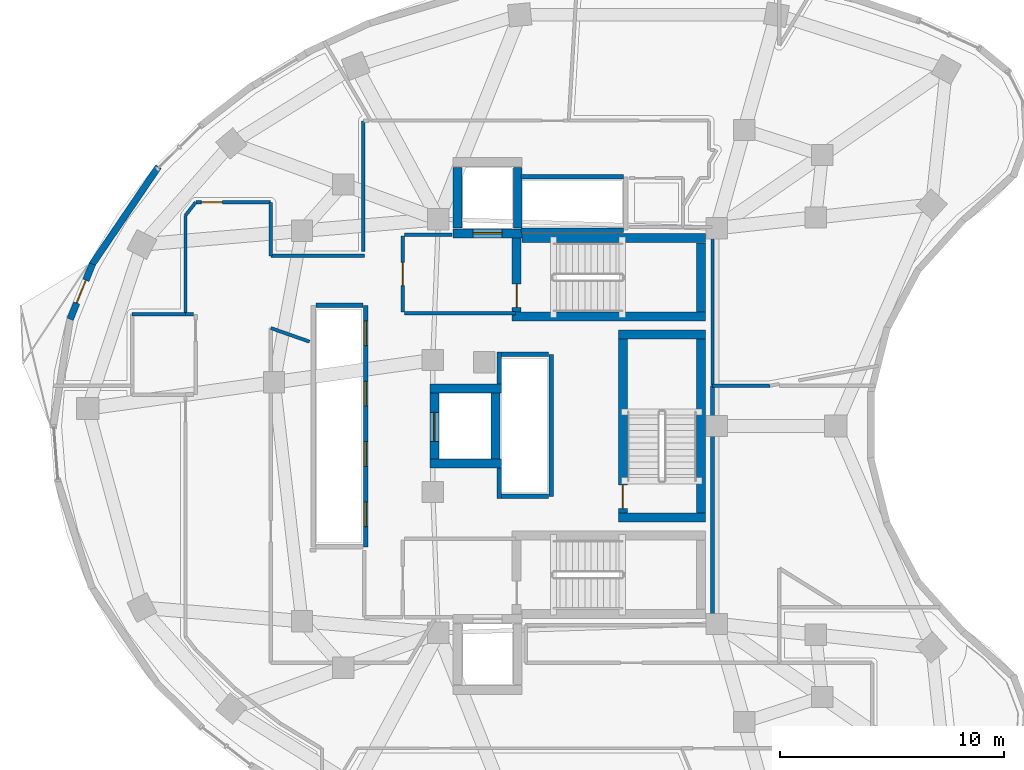
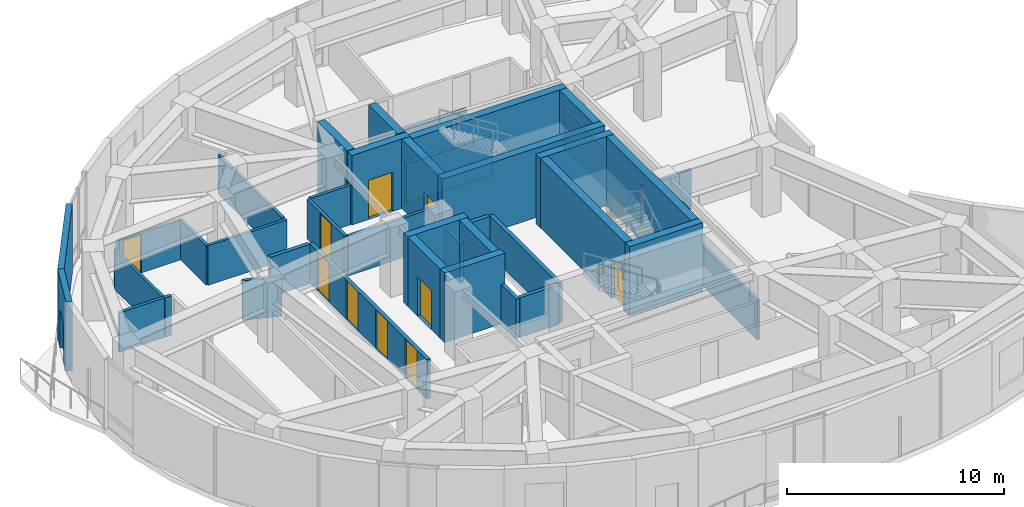
# One storey, part 7 of 12: 41 walls, 11 doors, 11 openings.
"""IFC4 building model written with IfcOpenShell, lengths in metres."""

from ifc_helpers import new_model, si_unit, direction, frame, frame_2d, origin, place, context, subcontext, project, spatial, rectangle, extrude, material, layer, layer_set, type_object, element, fill, save


model = new_model("IFC4")

# Units and contexts
model_context = context("Model", 3, precision=1e-05, world=origin(), true_north=direction((0.0, 1.0)))
body_context = subcontext(model_context, "Body", "Model", "MODEL_VIEW")
ifc_project = project(units=[si_unit("LENGTHUNIT", "METRE"), si_unit("AREAUNIT", "SQUARE_METRE"), si_unit("VOLUMEUNIT", "CUBIC_METRE"), si_unit("PLANEANGLEUNIT", "RADIAN"), si_unit("MASSUNIT", "GRAM", prefix="KILO")], contexts=[model_context])

# Site, building, storey
site_placement = place(None, origin())
site = spatial("IfcSite", under=ifc_project, at=site_placement, CompositionType="ELEMENT")
building_placement = place(site_placement, origin())
building = spatial("IfcBuilding", under=site, at=building_placement, Name="Korentha Bioscience Tower", CompositionType="ELEMENT")
storey_placement = place(building_placement, frame((0.0, 0.0, 196.199951171875)))
storey = spatial("IfcBuildingStorey", under=building, at=storey_placement, Name="L45", CompositionType="ELEMENT", Elevation=196.199951171875)

# Wall, opening, door
ifc_material_1 = material(Name="Double-Stud Acoustic Gypsum", Category="gypsum")
ifc_layer_1 = layer(ifc_material_1, 0.14990234375, Name="Double-Stud Acoustic Gypsum")
ifc_layer_set_1 = layer_set([ifc_layer_1], Name="Double-Stud Acoustic Gypsum (IW-L150)")
wall_type_1 = type_object("IfcWallType", Name="Acoustic Laboratory Partition Wall 150", PredefinedType="PARTITIONING", material=ifc_layer_set_1)
wall_1_placement = place(storey_placement, frame((17.60009765625, 37.010009765625, 0.0), z_axis=(0.0, 0.0, 1.0), x_axis=(-1.0, 0.0, 0.0)))
wall_1 = element("IfcWall", 1, at=wall_1_placement, inside=storey, type_object=wall_type_1, Name="L45 Fluorescence Confocal Microscopy Room 09 Entrance Wall", PredefinedType="PARTITIONING", context=body_context, shape_type="SweptSolid", body=[
    extrude(rectangle(XDim=3.3447265625, YDim=0.14990234375, at=frame_2d((1.67236328125, 0.0))), origin(), (0.0, 0.0, 1.0), 2.219970703125),
])
opening_1_placement = place(wall_1_placement, frame((2.154541015625, 0.0, 0.0)))
opening_1 = element("IfcOpeningElement", 2, at=opening_1_placement, cuts=wall_1, Name="Opening ID-10R", PredefinedType="OPENING", context=body_context, shape_type="SweptSolid", body=[
    extrude(rectangle(XDim=0.949951171875, YDim=2.14990234375, at=frame_2d((0.47509765625, 1.074951171875))), frame((0.0, 0.08984375, 0.0), z_axis=(0.0, -1.0, 0.0), x_axis=(1.0, 0.0, 0.0)), (0.0, 0.0, 1.0), 0.1796875),
])
ifc_material_2 = material(Name="Phenolic Laminate Timber Core", Category="wood")
door_type_1 = type_object("IfcDoorType", Name="Laboratory Single Leaf Door 950x2150 Right", OperationType="SINGLE_SWING_RIGHT", PredefinedType="DOOR", material=ifc_material_2)
door_1_placement = place(opening_1_placement, origin())
door_1 = element("IfcDoor", 3, at=door_1_placement, inside=storey, type_object=door_type_1, Name="L45 Fluorescence Confocal Microscopy Room 09 Door", OperationType="SINGLE_SWING_RIGHT", OverallHeight=2.14990234375, OverallWidth=0.949951171875, PredefinedType="DOOR", context=body_context, shape_type="SweptSolid", body=[
    extrude(rectangle(XDim=0.949951171875, YDim=2.14990234375, at=frame_2d((0.47509765625, 1.074951171875))), frame((0.0, 0.02490234375, 0.0), z_axis=(0.0, -1.0, 0.0), x_axis=(1.0, 0.0, 0.0)), (0.0, 0.0, 1.0), 0.050048828125),
])
fill(opening_1, door_1)

# Walls
wall_2_placement = place(storey_placement, frame((17.610107421875, 31.37890625, 0.0), z_axis=(0.0, 0.0, 1.0), x_axis=(0.943806424697, -0.330498763539, 0.0)))
element("IfcWall", 4, at=wall_2_placement, inside=storey, type_object=wall_type_1, Name="L45 Interior Partition 030", PredefinedType="PARTITIONING", context=body_context, shape_type="SweptSolid", body=[
    extrude(rectangle(XDim=1.832763671875, YDim=0.14990234375, at=frame_2d((0.91650390625, 0.0))), origin(), (0.0, 0.0, 1.0), 2.219970703125),
])
wall_3_placement = place(storey_placement, frame((21.739990234375, 40.64990234375, 0.0), z_axis=(0.0, 0.0, 1.0), x_axis=(0.0, -1.0, 0.0)))
element("IfcWall", 5, at=wall_3_placement, inside=storey, type_object=wall_type_1, Name="L45 Interior Partition 063", PredefinedType="PARTITIONING", context=body_context, shape_type="SweptSolid", body=[
    extrude(rectangle(XDim=5.849853515625, YDim=0.14990234375, at=frame_2d((2.9248046875, 0.0))), origin(), (0.0, 0.0, 1.0), 2.219970703125),
])
wall_4_placement = place(storey_placement, frame((21.7900390625, 34.610107421875, 0.0), z_axis=(0.0, 0.0, 1.0), x_axis=(-1.0, 0.0, 0.0)))
element("IfcWall", 6, at=wall_4_placement, inside=storey, type_object=wall_type_1, Name="L45 Interior Partition 064", PredefinedType="PARTITIONING", context=body_context, shape_type="SweptSolid", body=[
    extrude(rectangle(XDim=4.179931640625, YDim=0.14990234375, at=frame_2d((2.08984375, 0.0))), origin(), (0.0, 0.0, 1.0), 2.219970703125),
])
wall_5_placement = place(storey_placement, frame((17.610107421875, 34.610107421875, 0.0), z_axis=(0.0, 0.0, 1.0), x_axis=(0.0, 1.0, 0.0)))
element("IfcWall", 7, at=wall_5_placement, inside=storey, type_object=wall_type_1, Name="L45 Interior Partition 065", PredefinedType="PARTITIONING", context=body_context, shape_type="SweptSolid", body=[
    extrude(rectangle(XDim=2.389892578125, YDim=0.14990234375, at=frame_2d((1.19482421875, 0.0))), origin(), (0.0, 0.0, 1.0), 2.219970703125),
])
wall_6_placement = place(storey_placement, frame((14.24755859375, 37.006103515625, 0.0), z_axis=(0.0, 0.0, 1.0), x_axis=(-0.616041172792, -0.787713954063, 0.0)))
element("IfcWall", 8, at=wall_6_placement, inside=storey, type_object=wall_type_1, Name="L45 Interior Partition 066", PredefinedType="PARTITIONING", context=body_context, shape_type="SweptSolid", body=[
    extrude(rectangle(XDim=0.739501953125, YDim=0.14990234375, at=frame_2d((0.36962890625, 0.0))), origin(), (0.0, 0.0, 1.0), 2.219970703125),
])
wall_7_placement = place(storey_placement, frame((13.7900390625, 36.41748046875, 0.0), z_axis=(0.0, 0.0, 1.0), x_axis=(0.0, -1.0, 0.0)))
element("IfcWall", 9, at=wall_7_placement, inside=storey, type_object=wall_type_1, Name="L45 Interior Partition 067", PredefinedType="PARTITIONING", context=body_context, shape_type="SweptSolid", body=[
    extrude(rectangle(XDim=4.407470703125, YDim=0.14990234375, at=frame_2d((2.20361328125, 0.0))), origin(), (0.0, 0.0, 1.0), 2.219970703125),
])
ifc_material_3 = material(Name="Insulated Aluminium Honeycomb Panel", Category="aluminium")
ifc_layer_2 = layer(ifc_material_3, 0.139892578125, Name="Insulated Aluminium Honeycomb Panel")
ifc_layer_set_2 = layer_set([ifc_layer_2], Name="Insulated Aluminium Honeycomb Panel (IW-F60)")
wall_type_2 = type_object("IfcWallType", Name="Cleanroom Flush Metal Panel Partition 140", PredefinedType="PARTITIONING", material=ifc_layer_set_2)
wall_8_placement = place(storey_placement, frame((39.927490234375, 28.802001953125, 0.0), z_axis=(0.0, 0.0, 1.0), x_axis=(-1.0, 0.0, 0.0)))
element("IfcWall", 10, at=wall_8_placement, inside=storey, type_object=wall_type_2, Name="L45 Interior Partition 051", PredefinedType="PARTITIONING", context=body_context, shape_type="SweptSolid", body=[
    extrude(rectangle(XDim=2.5673828125, YDim=0.139892578125, at=frame_2d((1.28369140625, 0.0))), origin(), (0.0, 0.0, 1.0), 2.219970703125),
])
wall_9_placement = place(storey_placement, frame((37.360107421875, 28.802001953125, 0.0), z_axis=(0.0, 0.0, 1.0), x_axis=(0.0, 1.0, 0.0)))
element("IfcWall", 11, at=wall_9_placement, inside=storey, type_object=wall_type_2, Name="L45 Interior Partition 052", PredefinedType="PARTITIONING", context=body_context, shape_type="SweptSolid", body=[
    extrude(rectangle(XDim=7.097900390625, YDim=0.139892578125, at=frame_2d((3.548828125, 0.0))), origin(), (0.0, 0.0, 1.0), 2.219970703125),
])

# Wall, opening, door
ifc_material_4 = material(Name="Gypsum-Clad Steel Stud", Category="steel")
ifc_layer_3 = layer(ifc_material_4, 0.159912109375, Name="Gypsum-Clad Steel Stud")
ifc_layer_set_3 = layer_set([ifc_layer_3], Name="Gypsum-Clad Steel Stud (IW-C160)")
wall_type_3 = type_object("IfcWallType", Name="Fire-Rated Corridor Partition Wall 160", PredefinedType="PARTITIONING", material=ifc_layer_set_3)
wall_10_placement = place(storey_placement, frame((23.5, 32.10009765625, 0.0), z_axis=(0.0, 0.0, 1.0), x_axis=(0.0, 1.0, 0.0)))
wall_10 = element("IfcWall", 12, at=wall_10_placement, inside=storey, type_object=wall_type_3, Name="L45 FFLN-CW Rated Enclosure Wall", PredefinedType="PARTITIONING", context=body_context, shape_type="SweptSolid", body=[
    extrude(rectangle(XDim=3.39990234375, YDim=0.159912109375, at=frame_2d((1.699951171875, 0.0))), origin(), (0.0, 0.0, 1.0), 2.219970703125),
])
opening_2_placement = place(wall_10_placement, frame((1.175048828125, 0.0, 0.0)))
opening_2 = element("IfcOpeningElement", 13, at=opening_2_placement, cuts=wall_10, Name="Opening FD-90R", PredefinedType="OPENING", context=body_context, shape_type="SweptSolid", body=[
    extrude(rectangle(XDim=1.050048828125, YDim=2.14990234375, at=frame_2d((0.52490234375, 1.074951171875))), frame((0.0, 0.0947265625, 0.0), z_axis=(0.0, -1.0, 0.0), x_axis=(1.0, 0.0, 0.0)), (0.0, 0.0, 1.0), 0.189697265625),
])
ifc_material_5 = material(Name="Powder-Coated Fire-Rated Steel", Category="steel")
door_type_2 = type_object("IfcDoorType", Name="Stairwell Fire Exit Door 1050x2150 Right", OperationType="SINGLE_SWING_RIGHT", PredefinedType="DOOR", material=ifc_material_5)
door_2_placement = place(opening_2_placement, origin())
door_2 = element("IfcDoor", 14, at=door_2_placement, inside=storey, type_object=door_type_2, Name="L45 North Firefighting Lobby Door", OperationType="SINGLE_SWING_RIGHT", OverallHeight=2.14990234375, OverallWidth=1.050048828125, PredefinedType="DOOR", context=body_context, shape_type="SweptSolid", body=[
    extrude(rectangle(XDim=1.050048828125, YDim=2.14990234375, at=frame_2d((0.52490234375, 1.074951171875))), frame((0.0, 0.02490234375, 0.0), z_axis=(0.0, -1.0, 0.0), x_axis=(1.0, 0.0, 0.0)), (0.0, 0.0, 1.0), 0.050048828125),
])
fill(opening_2, door_2)

# Walls
wall_11_placement = place(storey_placement, frame((23.580078125, 32.050048828125, 0.0), z_axis=(0.0, 0.0, 1.0), x_axis=(1.0, 0.0, 0.0)))
element("IfcWall", 15, at=wall_11_placement, inside=storey, type_object=wall_type_3, Name="L45 Firefighting Lobby Return Wall FFLN-S", PredefinedType="PARTITIONING", context=body_context, shape_type="SweptSolid", body=[
    extrude(rectangle(XDim=4.969970703125, YDim=0.159912109375, at=frame_2d((2.48486328125, 0.0))), origin(), (0.0, 0.0, 1.0), 2.219970703125),
])
wall_12_placement = place(storey_placement, frame((23.580078125, 35.550048828125, 0.0), z_axis=(0.0, 0.0, 1.0), x_axis=(1.0, 0.0, 0.0)))
element("IfcWall", 16, at=wall_12_placement, inside=storey, type_object=wall_type_3, Name="L45 Firefighting Lobby Return Wall FFLN-N", PredefinedType="PARTITIONING", context=body_context, shape_type="SweptSolid", body=[
    extrude(rectangle(XDim=2.119873046875, YDim=0.159912109375, at=frame_2d((1.06005859375, 0.0))), origin(), (0.0, 0.0, 1.0), 2.219970703125),
])
wall_13_placement = place(storey_placement, frame((13.800048828125, 31.989990234375, 0.0), z_axis=(0.0, 0.0, 1.0), x_axis=(1.0, 0.0, 0.0)))
element("IfcWall", 17, at=wall_13_placement, inside=storey, type_object=wall_type_3, Name="L45 Interior Partition 014", PredefinedType="PARTITIONING", context=body_context, shape_type="SweptSolid", body=[
    extrude(rectangle(XDim=0.35693359375, YDim=0.159912109375, at=frame_2d((0.178466796875, 0.0))), origin(), (0.0, 0.0, 1.0), 2.219970703125),
])
wall_14_placement = place(storey_placement, frame((11.39990234375, 32.0, 0.0), z_axis=(0.0, 0.0, 1.0), x_axis=(1.0, 0.0, 0.0)))
element("IfcWall", 18, at=wall_14_placement, inside=storey, type_object=wall_type_3, Name="L45 Interior Partition 018", PredefinedType="PARTITIONING", context=body_context, shape_type="SweptSolid", body=[
    extrude(rectangle(XDim=2.39013671875, YDim=0.159912109375, at=frame_2d((1.195068359375, 0.0))), origin(), (0.0, 0.0, 1.0), 2.219970703125),
])
wall_15_placement = place(storey_placement, frame((37.360107421875, 18.10009765625, 0.0), z_axis=(0.0, 0.0, 1.0), x_axis=(0.0, 1.0, 0.0)))
element("IfcWall", 19, at=wall_15_placement, inside=storey, type_object=wall_type_3, Name="L45 Interior Partition 040", PredefinedType="PARTITIONING", context=body_context, shape_type="SweptSolid", body=[
    extrude(rectangle(XDim=10.693603515625, YDim=0.159912109375, at=frame_2d((5.3466796875, 0.0))), origin(), (0.0, 0.0, 1.0), 2.219970703125),
])

# Wall, opening, door
ifc_material_6 = material(Name="Honed Limestone Precast Concrete C40", Category="masonry")
ifc_layer_4 = layer(ifc_material_6, 0.300048828125, Name="Honed Limestone Precast Concrete C40")
ifc_layer_set_4 = layer_set([ifc_layer_4], Name="Honed Limestone Precast Concrete C40 (EW-ST300)")
wall_type_4 = type_object("IfcWallType", Name="Honed Limestone Cavity Spandrel Wall 300", PredefinedType="STANDARD", material=ifc_layer_set_4)
wall_16_placement = place(storey_placement, frame((9.625732421875, 34.2421875, 0.0), z_axis=(0.0, 0.0, 1.0), x_axis=(-0.373983610438, -0.927435312636, 0.0)))
wall_16 = element("IfcWall", 20, at=wall_16_placement, inside=storey, type_object=wall_type_4, Name="L45 Balcony Threshold Wall 02", PredefinedType="STANDARD", context=body_context, shape_type="SweptSolid", body=[
    extrude(rectangle(XDim=2.660888671875, YDim=0.300048828125, at=frame_2d((1.33056640625, 0.0))), origin(), (0.0, 0.0, 1.0), 3.900146484375),
])
opening_3_placement = place(wall_16_placement, frame((0.780517578125, 0.0, 0.0)))
opening_3 = element("IfcOpeningElement", 21, at=opening_3_placement, cuts=wall_16, Name="Opening BD-11R", PredefinedType="OPENING", context=body_context, shape_type="SweptSolid", body=[
    extrude(rectangle(XDim=1.10009765625, YDim=2.14990234375, at=frame_2d((0.550048828125, 1.074951171875))), frame((0.0, 0.1650390625, 0.0), z_axis=(0.0, -1.0, 0.0), x_axis=(1.0, 0.0, 0.0)), (0.0, 0.0, 1.0), 0.329833984375),
])
ifc_material_7 = material(Name="Thermally Broken Glazed Aluminium", Category="aluminium")
door_type_3 = type_object("IfcDoorType", Name="Balcony Terrace Glazed Door 1100x2150 Right", OperationType="SINGLE_SWING_RIGHT", PredefinedType="DOOR", material=ifc_material_7)
door_3_placement = place(opening_3_placement, origin())
door_3 = element("IfcDoor", 22, at=door_3_placement, inside=storey, type_object=door_type_3, Name="L45 Balcony Access Door 02", OperationType="SINGLE_SWING_RIGHT", OverallHeight=2.14990234375, OverallWidth=1.10009765625, PredefinedType="DOOR", context=body_context, shape_type="SweptSolid", body=[
    extrude(rectangle(XDim=1.10009765625, YDim=2.14990234375, at=frame_2d((0.550048828125, 1.074951171875))), frame((0.0, 0.02490234375, 0.0), z_axis=(0.0, -1.0, 0.0), x_axis=(1.0, 0.0, 0.0)), (0.0, 0.0, 1.0), 0.050048828125),
])
fill(opening_3, door_3)

# Wall
wall_17_placement = place(storey_placement, frame((12.580078125, 38.6005859375, 0.0), z_axis=(0.0, 0.0, 1.0), x_axis=(-0.561663900064, -0.827365495634, 0.0)))
element("IfcWall", 23, at=wall_17_placement, inside=storey, type_object=wall_type_4, Name="L45 Limestone Perimeter Closure Wall 14", PredefinedType="STANDARD", context=body_context, shape_type="SweptSolid", body=[
    extrude(rectangle(XDim=5.437744140625, YDim=0.300048828125, at=frame_2d((2.71875, 0.0))), origin(), (0.0, 0.0, 1.0), 3.900146484375),
])

# Wall, openings, doors
ifc_material_8 = material(Name="Autoclaved Aerated Concrete Block C25", Category="concrete")
ifc_layer_5 = layer(ifc_material_8, 0.199951171875, Name="Autoclaved Aerated Concrete Block C25")
ifc_layer_set_5 = layer_set([ifc_layer_5], Name="Autoclaved Aerated Concrete Block C25 (IW-S200)")
wall_type_5 = type_object("IfcWallType", Name="Lift and Riser Shaft Enclosure Wall 200", PredefinedType="PARTITIONING", material=ifc_layer_set_5)
wall_18_placement = place(storey_placement, frame((21.85009765625, 21.60009765625, 0.0), z_axis=(0.0, 0.0, 1.0), x_axis=(0.0, 1.0, 0.0)))
wall_18 = element("IfcWall", 24, at=wall_18_placement, inside=storey, type_object=wall_type_5, Name="L45 Lift Bank MID Shaft Wall +X", PredefinedType="PARTITIONING", context=body_context, shape_type="SweptSolid", body=[
    extrude(rectangle(XDim=10.7998046875, YDim=0.199951171875, at=frame_2d((5.39990234375, 0.0))), origin(), (0.0, 0.0, 1.0), 2.219970703125),
])
opening_4_placement = place(wall_18_placement, frame((0.89990234375, 0.0, 0.0)))
opening_4 = element("IfcOpeningElement", 25, at=opening_4_placement, cuts=wall_18, Name="Opening LD-11", PredefinedType="OPENING", context=body_context, shape_type="SweptSolid", body=[
    extrude(rectangle(XDim=1.10009765625, YDim=2.199951171875, at=frame_2d((0.550048828125, 1.10009765625))), frame((0.0, 0.11474609375, 0.0), z_axis=(0.0, -1.0, 0.0), x_axis=(1.0, 0.0, 0.0)), (0.0, 0.0, 1.0), 0.229736328125),
])
opening_5_placement = place(wall_18_placement, frame((3.60009765625, 0.0, 0.0)))
opening_5 = element("IfcOpeningElement", 26, at=opening_5_placement, cuts=wall_18, Name="Opening LD-11", PredefinedType="OPENING", context=body_context, shape_type="SweptSolid", body=[
    extrude(rectangle(XDim=1.10009765625, YDim=2.199951171875, at=frame_2d((0.550048828125, 1.10009765625))), frame((0.0, 0.11474609375, 0.0), z_axis=(0.0, -1.0, 0.0), x_axis=(1.0, 0.0, 0.0)), (0.0, 0.0, 1.0), 0.229736328125),
])
opening_6_placement = place(wall_18_placement, frame((6.300048828125, 0.0, 0.0)))
opening_6 = element("IfcOpeningElement", 27, at=opening_6_placement, cuts=wall_18, Name="Opening LD-11", PredefinedType="OPENING", context=body_context, shape_type="SweptSolid", body=[
    extrude(rectangle(XDim=1.10009765625, YDim=2.199951171875, at=frame_2d((0.550048828125, 1.10009765625))), frame((0.0, 0.11474609375, 0.0), z_axis=(0.0, -1.0, 0.0), x_axis=(1.0, 0.0, 0.0)), (0.0, 0.0, 1.0), 0.229736328125),
])
opening_7_placement = place(wall_18_placement, frame((9.0, 0.0, 0.0)))
opening_7 = element("IfcOpeningElement", 28, at=opening_7_placement, cuts=wall_18, Name="Opening LD-11", PredefinedType="OPENING", context=body_context, shape_type="SweptSolid", body=[
    extrude(rectangle(XDim=1.10009765625, YDim=2.199951171875, at=frame_2d((0.550048828125, 1.10009765625))), frame((0.0, 0.11474609375, 0.0), z_axis=(0.0, -1.0, 0.0), x_axis=(1.0, 0.0, 0.0)), (0.0, 0.0, 1.0), 0.229736328125),
])
ifc_material_9 = material(Name="Brushed Stainless Steel 304", Category="steel")
door_type_4 = type_object("IfcDoorType", Name="Passenger Lift Sliding Landing Door 1100x2200", OperationType="DOUBLE_DOOR_SLIDING", PredefinedType="DOOR", material=ifc_material_9)
door_4_placement = place(opening_4_placement, origin())
door_4 = element("IfcDoor", 29, at=door_4_placement, inside=storey, type_object=door_type_4, Name="L45 PL-M1 Sliding Lift Landing Door", OperationType="DOUBLE_DOOR_SLIDING", OverallHeight=2.199951171875, OverallWidth=1.10009765625, PredefinedType="DOOR", context=body_context, shape_type="SweptSolid", body=[
    extrude(rectangle(XDim=1.10009765625, YDim=2.199951171875, at=frame_2d((0.550048828125, 1.10009765625))), frame((0.0, 0.02490234375, 0.0), z_axis=(0.0, -1.0, 0.0), x_axis=(1.0, 0.0, 0.0)), (0.0, 0.0, 1.0), 0.050048828125),
])
fill(opening_4, door_4)
door_5_placement = place(opening_5_placement, origin())
door_5 = element("IfcDoor", 30, at=door_5_placement, inside=storey, type_object=door_type_4, Name="L45 PL-M2 Sliding Lift Landing Door", OperationType="DOUBLE_DOOR_SLIDING", OverallHeight=2.199951171875, OverallWidth=1.10009765625, PredefinedType="DOOR", context=body_context, shape_type="SweptSolid", body=[
    extrude(rectangle(XDim=1.10009765625, YDim=2.199951171875, at=frame_2d((0.550048828125, 1.10009765625))), frame((0.0, 0.02490234375, 0.0), z_axis=(0.0, -1.0, 0.0), x_axis=(1.0, 0.0, 0.0)), (0.0, 0.0, 1.0), 0.050048828125),
])
fill(opening_5, door_5)
door_6_placement = place(opening_6_placement, origin())
door_6 = element("IfcDoor", 31, at=door_6_placement, inside=storey, type_object=door_type_4, Name="L45 PL-M3 Sliding Lift Landing Door", OperationType="DOUBLE_DOOR_SLIDING", OverallHeight=2.199951171875, OverallWidth=1.10009765625, PredefinedType="DOOR", context=body_context, shape_type="SweptSolid", body=[
    extrude(rectangle(XDim=1.10009765625, YDim=2.199951171875, at=frame_2d((0.550048828125, 1.10009765625))), frame((0.0, 0.02490234375, 0.0), z_axis=(0.0, -1.0, 0.0), x_axis=(1.0, 0.0, 0.0)), (0.0, 0.0, 1.0), 0.050048828125),
])
fill(opening_6, door_6)
door_7_placement = place(opening_7_placement, origin())
door_7 = element("IfcDoor", 32, at=door_7_placement, inside=storey, type_object=door_type_4, Name="L45 PL-M4 Sliding Lift Landing Door", OperationType="DOUBLE_DOOR_SLIDING", OverallHeight=2.199951171875, OverallWidth=1.10009765625, PredefinedType="DOOR", context=body_context, shape_type="SweptSolid", body=[
    extrude(rectangle(XDim=1.10009765625, YDim=2.199951171875, at=frame_2d((0.550048828125, 1.10009765625))), frame((0.0, 0.02490234375, 0.0), z_axis=(0.0, -1.0, 0.0), x_axis=(1.0, 0.0, 0.0)), (0.0, 0.0, 1.0), 0.050048828125),
])
fill(opening_7, door_7)

# Walls
wall_19_placement = place(storey_placement, frame((19.6201171875, 32.39990234375, 0.0), z_axis=(0.0, 0.0, 1.0), x_axis=(1.0, 0.0, 0.0)))
element("IfcWall", 33, at=wall_19_placement, inside=storey, type_object=wall_type_5, Name="L45 Lift Bank MID Shaft Wall +Y", PredefinedType="PARTITIONING", context=body_context, shape_type="SweptSolid", body=[
    extrude(rectangle(XDim=2.10986328125, YDim=0.199951171875, at=frame_2d((1.054931640625, 0.0))), origin(), (0.0, 0.0, 1.0), 2.219970703125),
])
wall_20_placement = place(storey_placement, frame((27.830078125, 23.75, 0.0), z_axis=(0.0, 0.0, 1.0), x_axis=(0.0, 1.0, 0.0)))
element("IfcWall", 34, at=wall_20_placement, inside=storey, type_object=wall_type_5, Name="L45 Lift Bank HIGH Shaft Wall -XS", PredefinedType="PARTITIONING", context=body_context, shape_type="SweptSolid", body=[
    extrude(rectangle(XDim=1.365966796875, YDim=0.199951171875, at=frame_2d((0.68310546875, 0.0))), origin(), (0.0, 0.0, 1.0), 2.219970703125),
])
wall_21_placement = place(storey_placement, frame((27.830078125, 28.884033203125, 0.0), z_axis=(0.0, 0.0, 1.0), x_axis=(0.0, 1.0, 0.0)))
element("IfcWall", 35, at=wall_21_placement, inside=storey, type_object=wall_type_5, Name="L45 Lift Bank HIGH Shaft Wall -XN", PredefinedType="PARTITIONING", context=body_context, shape_type="SweptSolid", body=[
    extrude(rectangle(XDim=1.416015625, YDim=0.199951171875, at=frame_2d((0.7080078125, 0.0))), origin(), (0.0, 0.0, 1.0), 2.219970703125),
])
wall_22_placement = place(storey_placement, frame((30.14990234375, 23.85009765625, 0.0), z_axis=(0.0, 0.0, 1.0), x_axis=(0.0, 1.0, 0.0)))
element("IfcWall", 36, at=wall_22_placement, inside=storey, type_object=wall_type_5, Name="L45 Lift Bank HIGH Shaft Wall +X", PredefinedType="PARTITIONING", context=body_context, shape_type="SweptSolid", body=[
    extrude(rectangle(XDim=6.349853515625, YDim=0.199951171875, at=frame_2d((3.1748046875, 0.0))), origin(), (0.0, 0.0, 1.0), 2.219970703125),
])
for number, where, z_axis, x_axis, name in (
    (37, (27.93408203125, 23.85009765625, 0.0), (0.0, 0.0, 1.0), (1.0, 0.0, 0.0), "L45 Lift Bank HIGH Shaft Wall -Y"),
    (38, (27.93408203125, 30.199951171875, 0.0), (0.0, 0.0, 1.0), (1.0, 0.0, 0.0), "L45 Lift Bank HIGH Shaft Wall +Y"),
):
    element("IfcWall", number, at=place(storey_placement, frame(where, z_axis=z_axis, x_axis=x_axis)), inside=storey, type_object=wall_type_5, Name=name, PredefinedType="PARTITIONING", context=body_context, shape_type="SweptSolid", body=[
        extrude(rectangle(XDim=2.095947265625, YDim=0.199951171875, at=frame_2d((1.0478515625, 0.0))), origin(), (0.0, 0.0, 1.0), 2.219970703125),
    ])
for number, where, z_axis, x_axis, name in (
    (39, (28.800048828125, 35.760009765625, 0.0), (0.0, 0.0, 1.0), (1.0, 0.0, 0.0), "L45 Lift Bank OBS Shaft Wall -Y"),
    (40, (28.800048828125, 38.139892578125, 0.0), (0.0, 0.0, 1.0), (1.0, 0.0, 0.0), "L45 Lift Bank OBS Shaft Wall +Y"),
):
    element("IfcWall", number, at=place(storey_placement, frame(where, z_axis=z_axis, x_axis=x_axis)), inside=storey, type_object=wall_type_5, Name=name, PredefinedType="PARTITIONING", context=body_context, shape_type="SweptSolid", body=[
        extrude(rectangle(XDim=4.570068359375, YDim=0.199951171875, at=frame_2d((2.28515625, 0.0))), origin(), (0.0, 0.0, 1.0), 2.219970703125),
    ])
ifc_material_10 = material(Name="Concrete C65", Category="concrete")
ifc_layer_6 = layer(ifc_material_10, 0.39990234375, Name="Concrete C65")
ifc_layer_set_6 = layer_set([ifc_layer_6], Name="Concrete C65 (CW-C65)")
wall_type_6 = type_object("IfcWallType", Name="Mid-Rise Core Shear Wall 400", PredefinedType="SHEAR", material=ifc_layer_set_6)
wall_23_placement = place(storey_placement, frame((28.85205078125, 35.39990234375, 0.0), z_axis=(0.0, 0.0, 1.0), x_axis=(1.0, 0.0, 0.0)))
element("IfcWall", 41, at=wall_23_placement, inside=storey, type_object=wall_type_6, Name="L45 Core Shear Wall ST1-N", PredefinedType="SHEAR", context=body_context, shape_type="SweptSolid", body=[
    extrude(rectangle(XDim=8.197998046875, YDim=0.39990234375, at=frame_2d((4.09912109375, 0.0))), origin(), (0.0, 0.0, 1.0), 3.900146484375),
])
wall_24_placement = place(storey_placement, frame((28.39990234375, 31.89990234375, 0.0), z_axis=(0.0, 0.0, 1.0), x_axis=(1.0, 0.0, 0.0)))
element("IfcWall", 42, at=wall_24_placement, inside=storey, type_object=wall_type_6, Name="L45 Core Shear Wall ST1-S", PredefinedType="SHEAR", context=body_context, shape_type="SweptSolid", body=[
    extrude(rectangle(XDim=8.650146484375, YDim=0.39990234375, at=frame_2d((4.3251953125, 0.0))), origin(), (0.0, 0.0, 1.0), 3.900146484375),
])
wall_25_placement = place(storey_placement, frame((36.85009765625, 32.110107421875, 0.0), z_axis=(0.0, 0.0, 1.0), x_axis=(0.0, 1.0, 0.0)))
element("IfcWall", 43, at=wall_25_placement, inside=storey, type_object=wall_type_6, Name="L45 Core Shear Wall ST1-E", PredefinedType="SHEAR", context=body_context, shape_type="SweptSolid", body=[
    extrude(rectangle(XDim=3.079833984375, YDim=0.39990234375, at=frame_2d((1.5400390625, 0.0))), origin(), (0.0, 0.0, 1.0), 3.900146484375),
])

# Wall, opening, door
wall_26_placement = place(storey_placement, frame((28.60009765625, 32.110107421875, 0.0), z_axis=(0.0, 0.0, 1.0), x_axis=(0.0, 1.0, 0.0)))
wall_26 = element("IfcWall", 44, at=wall_26_placement, inside=storey, type_object=wall_type_6, Name="L45 Core Shear Wall ST1-W", PredefinedType="SHEAR", context=body_context, shape_type="SweptSolid", body=[
    extrude(rectangle(XDim=3.307861328125, YDim=0.39990234375, at=frame_2d((1.65380859375, 0.0))), origin(), (0.0, 0.0, 1.0), 3.900146484375),
])
opening_8_placement = place(wall_26_placement, frame((0.199951171875, 0.0, 0.0)))
opening_8 = element("IfcOpeningElement", 45, at=opening_8_placement, cuts=wall_26, Name="Opening FD-90R", PredefinedType="OPENING", context=body_context, shape_type="SweptSolid", body=[
    extrude(rectangle(XDim=1.050048828125, YDim=2.14990234375, at=frame_2d((0.52490234375, 1.074951171875))), frame((0.0, 0.21484375, 0.0), z_axis=(0.0, -1.0, 0.0), x_axis=(1.0, 0.0, 0.0)), (0.0, 0.0, 1.0), 0.4296875),
])
door_8_placement = place(opening_8_placement, origin())
door_8 = element("IfcDoor", 46, at=door_8_placement, inside=storey, type_object=door_type_2, Name="L45 ST-1 Fire Exit Stair Door", OperationType="SINGLE_SWING_RIGHT", OverallHeight=2.14990234375, OverallWidth=1.050048828125, PredefinedType="DOOR", context=body_context, shape_type="SweptSolid", body=[
    extrude(rectangle(XDim=1.050048828125, YDim=2.14990234375, at=frame_2d((0.52490234375, 1.074951171875))), frame((0.0, 0.02490234375, 0.0), z_axis=(0.0, -1.0, 0.0), x_axis=(1.0, 0.0, 0.0)), (0.0, 0.0, 1.0), 0.050048828125),
])
fill(opening_8, door_8)

# Walls
for number, where, z_axis, x_axis, name in (
    (47, (33.14990234375, 31.10009765625, 0.0), (0.0, 0.0, 1.0), (1.0, 0.0, 0.0), "L45 Core Shear Wall ST3-N"),
    (48, (33.14990234375, 22.89990234375, 0.0), (0.0, 0.0, 1.0), (1.0, 0.0, 0.0), "L45 Core Shear Wall ST3-S"),
):
    element("IfcWall", number, at=place(storey_placement, frame(where, z_axis=z_axis, x_axis=x_axis)), inside=storey, type_object=wall_type_6, Name=name, PredefinedType="SHEAR", context=body_context, shape_type="SweptSolid", body=[
        extrude(rectangle(XDim=3.900146484375, YDim=0.39990234375, at=frame_2d((1.9501953125, 0.0))), origin(), (0.0, 0.0, 1.0), 3.900146484375),
    ])
wall_27_placement = place(storey_placement, frame((36.85009765625, 23.110107421875, 0.0), z_axis=(0.0, 0.0, 1.0), x_axis=(0.0, 1.0, 0.0)))
element("IfcWall", 49, at=wall_27_placement, inside=storey, type_object=wall_type_6, Name="L45 Core Shear Wall ST3-E", PredefinedType="SHEAR", context=body_context, shape_type="SweptSolid", body=[
    extrude(rectangle(XDim=7.77978515625, YDim=0.39990234375, at=frame_2d((3.889892578125, 0.0))), origin(), (0.0, 0.0, 1.0), 3.900146484375),
])

# Wall, opening, door
wall_28_placement = place(storey_placement, frame((33.35009765625, 23.110107421875, 0.0), z_axis=(0.0, 0.0, 1.0), x_axis=(0.0, 1.0, 0.0)))
wall_28 = element("IfcWall", 50, at=wall_28_placement, inside=storey, type_object=wall_type_6, Name="L45 Core Shear Wall ST3-W", PredefinedType="SHEAR", context=body_context, shape_type="SweptSolid", body=[
    extrude(rectangle(XDim=7.77978515625, YDim=0.39990234375, at=frame_2d((3.889892578125, 0.0))), origin(), (0.0, 0.0, 1.0), 3.900146484375),
])
opening_9_placement = place(wall_28_placement, frame((0.199951171875, 0.0, 0.0)))
opening_9 = element("IfcOpeningElement", 51, at=opening_9_placement, cuts=wall_28, Name="Opening FD-90R", PredefinedType="OPENING", context=body_context, shape_type="SweptSolid", body=[
    extrude(rectangle(XDim=1.050048828125, YDim=2.14990234375, at=frame_2d((0.52490234375, 1.074951171875))), frame((0.0, 0.21484375, 0.0), z_axis=(0.0, -1.0, 0.0), x_axis=(1.0, 0.0, 0.0)), (0.0, 0.0, 1.0), 0.4296875),
])
door_9_placement = place(opening_9_placement, origin())
door_9 = element("IfcDoor", 52, at=door_9_placement, inside=storey, type_object=door_type_2, Name="L45 ST-3 Fire Exit Stair Door", OperationType="SINGLE_SWING_RIGHT", OverallHeight=2.14990234375, OverallWidth=1.050048828125, PredefinedType="DOOR", context=body_context, shape_type="SweptSolid", body=[
    extrude(rectangle(XDim=1.050048828125, YDim=2.14990234375, at=frame_2d((0.52490234375, 1.074951171875))), frame((0.0, 0.02490234375, 0.0), z_axis=(0.0, -1.0, 0.0), x_axis=(1.0, 0.0, 0.0)), (0.0, 0.0, 1.0), 0.050048828125),
])
fill(opening_9, door_9)

wall_29_placement = place(storey_placement, frame((25.75, 35.6201171875, 0.0), z_axis=(0.0, 0.0, 1.0), x_axis=(1.0, 0.0, 0.0)))
wall_29 = element("IfcWall", 53, at=wall_29_placement, inside=storey, type_object=wall_type_6, Name="L45 Core Shear Wall FFL2-S", PredefinedType="SHEAR", context=body_context, shape_type="SweptSolid", body=[
    extrude(rectangle(XDim=3.10009765625, YDim=0.39990234375, at=frame_2d((1.550048828125, 0.0))), origin(), (0.0, 0.0, 1.0), 3.900146484375),
])
opening_10_placement = place(wall_29_placement, frame((0.89990234375, 0.0, 0.0)))
opening_10 = element("IfcOpeningElement", 54, at=opening_10_placement, cuts=wall_29, Name="Opening LD-13", PredefinedType="OPENING", context=body_context, shape_type="SweptSolid", body=[
    extrude(rectangle(XDim=1.300048828125, YDim=2.199951171875, at=frame_2d((0.64990234375, 1.10009765625))), frame((0.0, 0.21484375, 0.0), z_axis=(0.0, -1.0, 0.0), x_axis=(1.0, 0.0, 0.0)), (0.0, 0.0, 1.0), 0.4296875),
])
ifc_material_11 = material(Name="Brushed Stainless Steel 316", Category="steel")
door_type_5 = type_object("IfcDoorType", Name="Service & Firefighting Lift Landing Door 1300x2300", OperationType="DOUBLE_DOOR_SLIDING", PredefinedType="DOOR", material=ifc_material_11)
door_10_placement = place(opening_10_placement, origin())
door_10 = element("IfcDoor", 55, at=door_10_placement, inside=storey, type_object=door_type_5, Name="L45 FFL-2 Sliding Lift Landing Door", OperationType="DOUBLE_DOOR_SLIDING", OverallHeight=2.199951171875, OverallWidth=1.300048828125, PredefinedType="DOOR", context=body_context, shape_type="SweptSolid", body=[
    extrude(rectangle(XDim=1.300048828125, YDim=2.199951171875, at=frame_2d((0.64990234375, 1.10009765625))), frame((0.0, 0.02490234375, 0.0), z_axis=(0.0, -1.0, 0.0), x_axis=(1.0, 0.0, 0.0)), (0.0, 0.0, 1.0), 0.050048828125),
])
fill(opening_10, door_10)

# Walls
for number, where, z_axis, x_axis, name in (
    (56, (25.949951171875, 35.860107421875, 0.0), (0.0, 0.0, 1.0), (0.0, 1.0, 0.0), "L45 Core Shear Wall FFL2-W"),
    (57, (28.64990234375, 35.860107421875, 0.0), (0.0, 0.0, 1.0), (0.0, 1.0, 0.0), "L45 Core Shear Wall FFL2-E"),
):
    element("IfcWall", number, at=place(storey_placement, frame(where, z_axis=z_axis, x_axis=x_axis)), inside=storey, type_object=wall_type_6, Name=name, PredefinedType="SHEAR", context=body_context, shape_type="SweptSolid", body=[
        extrude(rectangle(XDim=2.699951171875, YDim=0.39990234375, at=frame_2d((1.35009765625, 0.0))), origin(), (0.0, 0.0, 1.0), 3.900146484375),
    ])
for number, where, z_axis, x_axis, name in (
    (58, (24.719970703125, 28.679931640625, 0.0), (0.0, 0.0, 1.0), (1.0, 0.0, 0.0), "L45 Core Shear Wall SVL1-N"),
    (59, (24.719970703125, 25.320068359375, 0.0), (0.0, 0.0, 1.0), (1.0, 0.0, 0.0), "L45 Core Shear Wall SVL1-S"),
):
    element("IfcWall", number, at=place(storey_placement, frame(where, z_axis=z_axis, x_axis=x_axis)), inside=storey, type_object=wall_type_6, Name=name, PredefinedType="SHEAR", context=body_context, shape_type="SweptSolid", body=[
        extrude(rectangle(XDim=3.2099609375, YDim=0.39990234375, at=frame_2d((1.60498046875, 0.0))), origin(), (0.0, 0.0, 1.0), 3.900146484375),
    ])

# Wall, opening, door
wall_30_placement = place(storey_placement, frame((24.919921875, 25.52197265625, 0.0), z_axis=(0.0, 0.0, 1.0), x_axis=(0.0, 1.0, 0.0)))
wall_30 = element("IfcWall", 60, at=wall_30_placement, inside=storey, type_object=wall_type_6, Name="L45 Core Shear Wall SVL1-W", PredefinedType="SHEAR", context=body_context, shape_type="SweptSolid", body=[
    extrude(rectangle(XDim=2.9560546875, YDim=0.39990234375, at=frame_2d((1.47802734375, 0.0))), origin(), (0.0, 0.0, 1.0), 3.900146484375),
])
opening_11_placement = place(wall_30_placement, frame((0.7900390625, 0.0, 0.0)))
opening_11 = element("IfcOpeningElement", 61, at=opening_11_placement, cuts=wall_30, Name="Opening LD-13", PredefinedType="OPENING", context=body_context, shape_type="SweptSolid", body=[
    extrude(rectangle(XDim=1.300048828125, YDim=2.199951171875, at=frame_2d((0.64990234375, 1.10009765625))), frame((0.0, 0.21484375, 0.0), z_axis=(0.0, -1.0, 0.0), x_axis=(1.0, 0.0, 0.0)), (0.0, 0.0, 1.0), 0.4296875),
])
door_11_placement = place(opening_11_placement, origin())
door_11 = element("IfcDoor", 62, at=door_11_placement, inside=storey, type_object=door_type_5, Name="L45 SVL-1 Sliding Lift Landing Door", OperationType="DOUBLE_DOOR_SLIDING", OverallHeight=2.199951171875, OverallWidth=1.300048828125, PredefinedType="DOOR", context=body_context, shape_type="SweptSolid", body=[
    extrude(rectangle(XDim=1.300048828125, YDim=2.199951171875, at=frame_2d((0.64990234375, 1.10009765625))), frame((0.0, 0.02490234375, 0.0), z_axis=(0.0, -1.0, 0.0), x_axis=(1.0, 0.0, 0.0)), (0.0, 0.0, 1.0), 0.050048828125),
])
fill(opening_11, door_11)

# Wall
wall_31_placement = place(storey_placement, frame((27.64990234375, 25.52197265625, 0.0), z_axis=(0.0, 0.0, 1.0), x_axis=(0.0, 1.0, 0.0)))
element("IfcWall", 63, at=wall_31_placement, inside=storey, type_object=wall_type_6, Name="L45 Core Shear Wall SVL1-E", PredefinedType="SHEAR", context=body_context, shape_type="SweptSolid", body=[
    extrude(rectangle(XDim=2.9560546875, YDim=0.39990234375, at=frame_2d((1.47802734375, 0.0))), origin(), (0.0, 0.0, 1.0), 3.900146484375),
])

save(model, "model.ifc")
